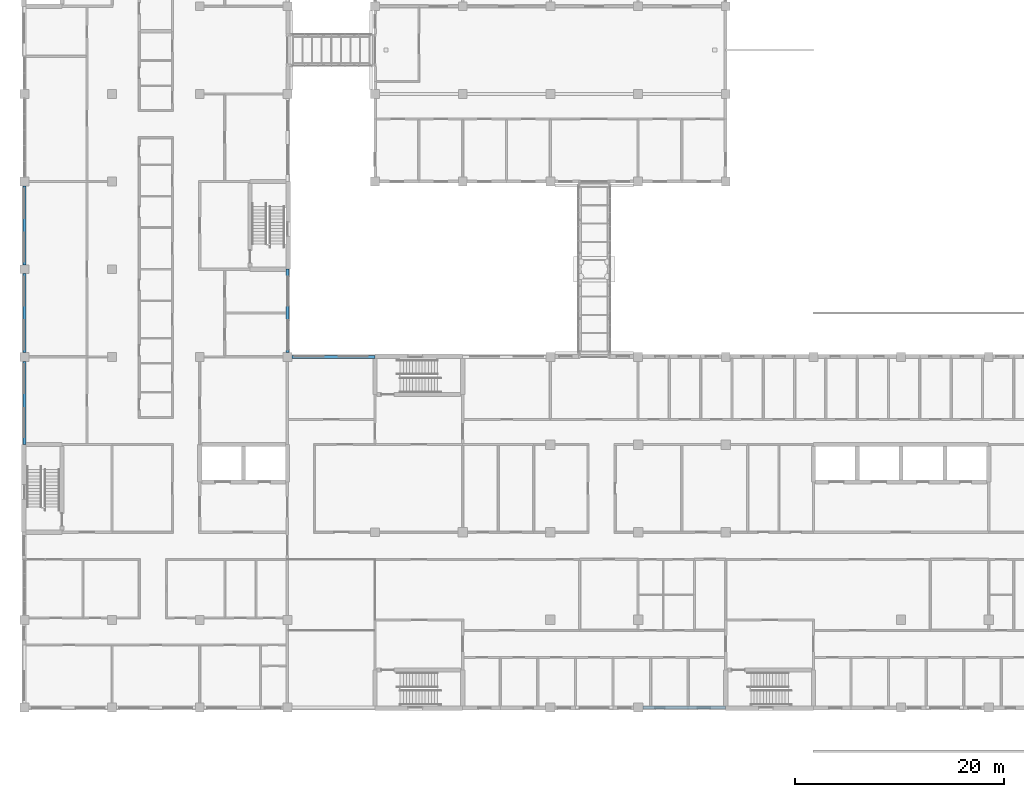
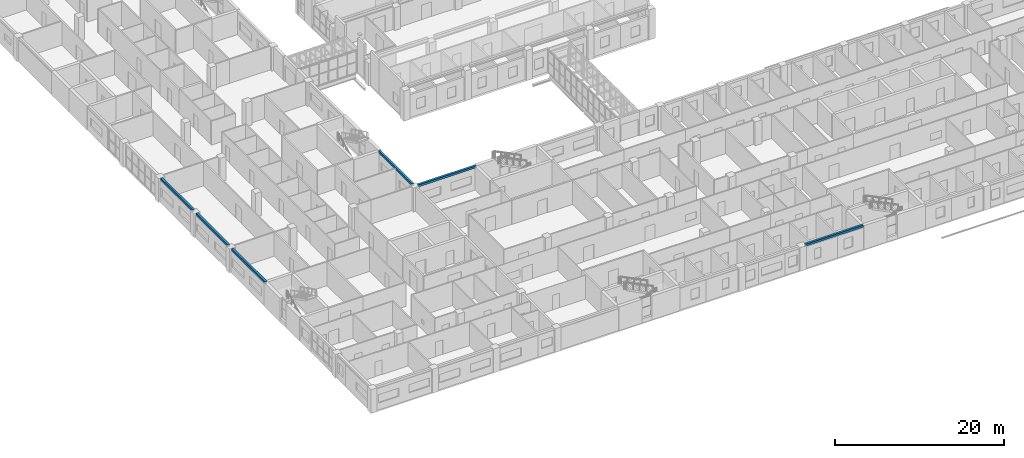
# One storey, part 17 of 94: 6 beams.
"""IFC4 building model written with IfcOpenShell, lengths in metres."""

from ifc_helpers import new_model, si_unit, direction, frame, origin, origin_2d, place, context, subcontext, project, spatial, rectangle, extrude, material, material_profile, profile_set, type_object, element, save


model = new_model("IFC4")

# Units and contexts
model_context = context("Model", 3, precision=1e-05, world=origin(), true_north=direction((0.0, 1.0)))
body_context = subcontext(model_context, "Body", "Model", "MODEL_VIEW")
ifc_project = project(units=[si_unit("LENGTHUNIT", "METRE"), si_unit("AREAUNIT", "SQUARE_METRE"), si_unit("VOLUMEUNIT", "CUBIC_METRE"), si_unit("PLANEANGLEUNIT", "RADIAN"), si_unit("MASSUNIT", "GRAM", prefix="KILO")], contexts=[model_context])

# Site, building, storey
site_placement = place(None, origin())
site = spatial("IfcSite", under=ifc_project, at=site_placement, CompositionType="ELEMENT")
building_placement = place(site_placement, origin())
building = spatial("IfcBuilding", under=site, at=building_placement, Name="Yavir Park General Hospital", CompositionType="ELEMENT")
storey_placement = place(building_placement, frame((0.0, 0.0, 4.5)))
storey = spatial("IfcBuildingStorey", under=building, at=storey_placement, Name="L01", CompositionType="ELEMENT", Elevation=4.5)

# Beams
ifc_material = material(Name="Concrete C35/45", Category="concrete")
ifc_material_profile = material_profile(ifc_material, rectangle(XDim=0.300048828125, YDim=0.300048828125, at=origin_2d()), Name="RC300x300")
ifc_profile_set = profile_set([ifc_material_profile], Name="Concrete C35/45")
beam_type = type_object("IfcBeamType", Name="RC BEAM 300x300 edge beam", PredefinedType="BEAM", material=ifc_profile_set)
beam_1_placement = place(storey_placement, frame((59.25, 0.0, 3.300048828125), z_axis=(1.0, 0.0, 0.0), x_axis=(0.0, 1.0, 0.0)))
element("IfcBeam", 1, at=beam_1_placement, inside=storey, type_object=beam_type, Name="B:EDGE:L01:007", PredefinedType="BEAM", context=body_context, shape_type="SweptSolid", body=[
    extrude(rectangle(XDim=0.300048828125, YDim=0.300048828125, at=origin_2d()), origin(), (0.0, 0.0, 1.0), 7.949951171875),
])
for number, where, z_axis, x_axis, name in (
    (2, (25.625, 33.60009765625, 3.300048828125), (1.0, 0.0, 0.0), (0.0, 1.0, 0.0), "B:EDGE:L01:017"),
    (3, (0.0, 25.199951171875, 3.300048828125), (0.0, 1.0, 0.0), (-1.0, 0.0, 0.0), "B:EDGE:L01:032"),
):
    element("IfcBeam", number, at=place(storey_placement, frame(where, z_axis=z_axis, x_axis=x_axis)), inside=storey, type_object=beam_type, Name=name, PredefinedType="BEAM", context=body_context, shape_type="SweptSolid", body=[
        extrude(rectangle(XDim=0.300048828125, YDim=0.300048828125, at=origin_2d()), origin(), (0.0, 0.0, 1.0), 7.97509765625),
    ])
for number, where, z_axis, x_axis, name in (
    (4, (0.0, 34.02490234375, 3.300048828125), (0.0, 1.0, 0.0), (-1.0, 0.0, 0.0), "B:EDGE:L01:033"),
    (5, (0.0, 42.425048828125, 3.300048828125), (0.0, 1.0, 0.0), (-1.0, 0.0, 0.0), "B:EDGE:L01:034"),
):
    element("IfcBeam", number, at=place(storey_placement, frame(where, z_axis=z_axis, x_axis=x_axis)), inside=storey, type_object=beam_type, Name=name, PredefinedType="BEAM", context=body_context, shape_type="SweptSolid", body=[
        extrude(rectangle(XDim=0.300048828125, YDim=0.300048828125, at=origin_2d()), origin(), (0.0, 0.0, 1.0), 7.550048828125),
    ])
beam_2_placement = place(storey_placement, frame((25.199951171875, 34.02490234375, 3.300048828125), z_axis=(0.0, 1.0, 0.0), x_axis=(-1.0, 0.0, 0.0)))
element("IfcBeam", 6, at=beam_2_placement, inside=storey, type_object=beam_type, Name="B:EDGE:L01:042", PredefinedType="BEAM", context=body_context, shape_type="SweptSolid", body=[
    extrude(rectangle(XDim=0.300048828125, YDim=0.300048828125, at=origin_2d()), origin(), (0.0, 0.0, 1.0), 7.97509765625),
])

save(model, "model.ifc")
